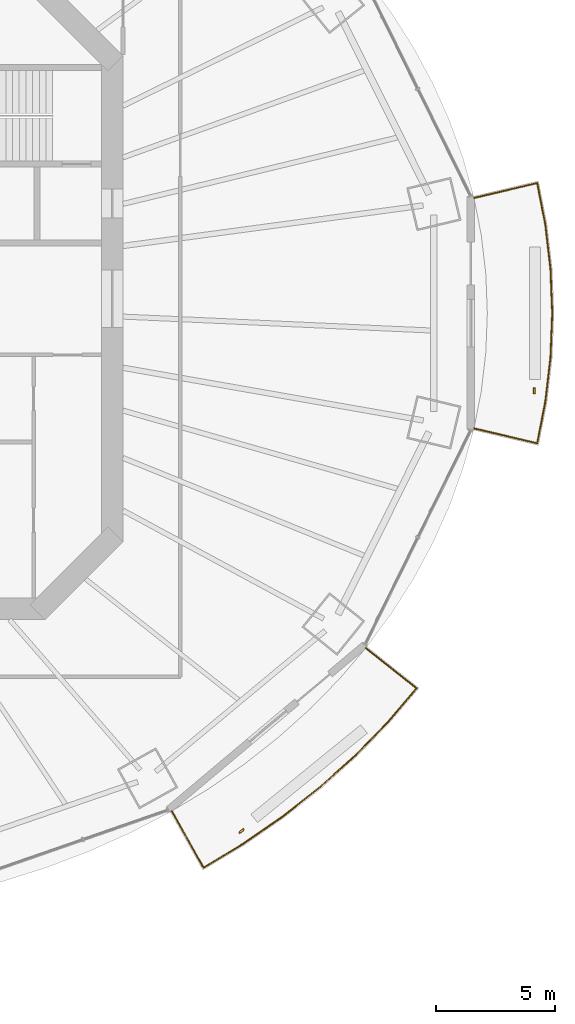
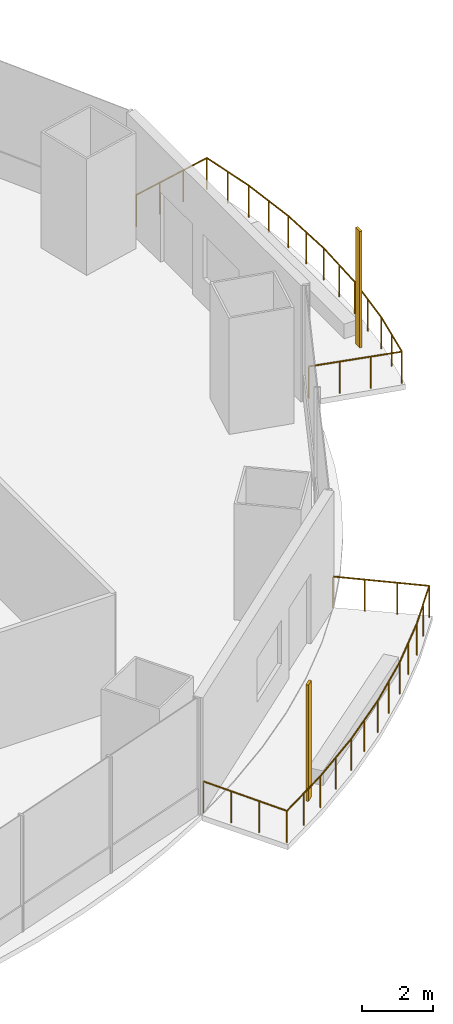
# One storey, part 16 of 19: 2 railings, 2 shading devices.
"""IFC4 building model written with IfcOpenShell, lengths in metres."""

import ifcopenshell
import ifcopenshell.guid

model = None  # the IFC model being written
_history = None  # IfcOwnerHistory: only IFC2X3 demands one
_inside = {}  # id of a spatial element -> (the spatial element, [elements in it])
_under = {}  # id of a project, library or spatial element -> (it, [spatial elements below it])
_declared = {}  # id of a project -> (the project, [libraries it declares])
_typed = {}  # id of a type object -> (the type object, [elements of that type])
_made_of = {}  # id of a material, layer set ... -> (it, [elements and type objects made of it])


def new_model(schema):
    """Start an empty IFC model of exactly this schema.

    Asked for "IFC4X3", IfcOpenShell would pick the latest addendum, in which some entities
    have other attributes; the version numbers below select the first issue.
    IFC2X3 requires an IfcOwnerHistory on every rooted entity: one is made here for all.
    """
    global model, _history
    if schema == "IFC4X3":
        model = ifcopenshell.file(schema_version=(4, 3, 0, 0))
    else:
        model = ifcopenshell.file(schema=schema)
    _inside.clear()
    _under.clear()
    _declared.clear()
    _typed.clear()
    _made_of.clear()
    _history = None
    if model.schema == "IFC2X3":
        org = make("IfcOrganization", Name="unknown")
        user = make(
            "IfcPersonAndOrganization",
            ThePerson=make("IfcPerson", FamilyName="unknown"),
            TheOrganization=org,
        )
        app = make(
            "IfcApplication",
            ApplicationDeveloper=org,
            Version="unknown",
            ApplicationFullName="unknown",
            ApplicationIdentifier="unknown",
        )
        _history = make(
            "IfcOwnerHistory",
            OwningUser=user,
            OwningApplication=app,
            ChangeAction="ADDED",
            CreationDate=0,
        )
    return model


def make(cls, **values):
    """One entity of the class cls with the attributes given. An attribute that is None is left unset."""
    return model.create_entity(
        cls, **{name: value for name, value in values.items() if value is not None}
    )


def rooted(cls, **values):
    """An entity with a GlobalId (a new one), such as an element, a storey or a relation."""
    return make(cls, GlobalId=ifcopenshell.guid.new(), OwnerHistory=_history, **values)


def si_unit(unit_type, name, prefix=None):
    """IfcSIUnit, for example si_unit("LENGTHUNIT", "METRE", prefix="MILLI")."""
    return make("IfcSIUnit", UnitType=unit_type, Prefix=prefix, Name=name)


def assignment(units):
    """IfcUnitAssignment: the units of a project."""
    return None if units is None else make("IfcUnitAssignment", Units=units)


def point(xyz):
    """IfcCartesianPoint."""
    return None if xyz is None else make("IfcCartesianPoint", Coordinates=xyz)


def direction(xyz):
    """IfcDirection."""
    return None if xyz is None else make("IfcDirection", DirectionRatios=xyz)


def frame(location, z_axis=None, x_axis=None):
    """IfcAxis2Placement3D, a coordinate frame: its origin and axes. An axis left out is left unset."""
    return make(
        "IfcAxis2Placement3D",
        Location=point(location),
        Axis=direction(z_axis),
        RefDirection=direction(x_axis),
    )


def frame_2d(location, x_axis=None):
    """IfcAxis2Placement2D, a coordinate frame in the plane: its origin and x axis."""
    return make(
        "IfcAxis2Placement2D", Location=point(location), RefDirection=direction(x_axis)
    )


def origin():
    """The frame at (0, 0, 0) with its axes left unset."""
    return frame((0.0, 0.0, 0.0))


def origin_2d():
    """The frame at (0, 0) in the plane with its x axis left unset."""
    return frame_2d((0.0, 0.0))


def place(relative_to, where):
    """IfcLocalPlacement: puts the frame where relative to a parent placement (None: the world)."""
    return make(
        "IfcLocalPlacement", PlacementRelTo=relative_to, RelativePlacement=where
    )


def context(
    kind, dimensions, precision=None, world=None, true_north=None, identifier=None
):
    """IfcGeometricRepresentationContext, for example the 3D "Model" context."""
    return make(
        "IfcGeometricRepresentationContext",
        ContextIdentifier=identifier,
        ContextType=kind,
        CoordinateSpaceDimension=dimensions,
        Precision=precision,
        WorldCoordinateSystem=world,
        TrueNorth=true_north,
    )


def subcontext(parent, identifier, kind, view, scale=None):
    """IfcGeometricRepresentationSubContext, for example "Body" below "Model"."""
    return make(
        "IfcGeometricRepresentationSubContext",
        ContextIdentifier=identifier,
        ContextType=kind,
        ParentContext=parent,
        TargetScale=scale,
        TargetView=view,
    )


def project(units=None, contexts=None):
    """IfcProject with its units and contexts."""
    return rooted(
        "IfcProject",
        Name="project",
        RepresentationContexts=contexts,
        UnitsInContext=assignment(units),
    )


def spatial(cls, under=None, at=None, **own):
    """A site, building, storey or space (cls), placed at a placement, below another one or the project."""
    s = rooted(cls, ObjectPlacement=at, **own)
    if under is not None:
        _under.setdefault(under.id(), (under, []))[1].append(s)
    return s


def profile(cls, at=None, kind="AREA", **sizes):
    """A parametric profile (cls). Its sizes go by their IFC names, for example OverallWidth=200.0."""
    return make(cls, ProfileType=kind, Position=at, **sizes)


def rectangle(**sizes):
    """IfcRectangleProfileDef."""
    return profile("IfcRectangleProfileDef", **sizes)


def circle(**sizes):
    """IfcCircleProfileDef."""
    return profile("IfcCircleProfileDef", **sizes)


def extrude(swept, where, along, depth):
    """IfcExtrudedAreaSolid: the profile swept, set in the frame where, extruded along a direction by depth."""
    return make(
        "IfcExtrudedAreaSolid",
        SweptArea=swept,
        Position=where,
        ExtrudedDirection=direction(along),
        Depth=depth,
    )


def shape(context_of_items, identifier, shape_type, items):
    """IfcShapeRepresentation: the items that make up one representation, for example the "Body"."""
    return make(
        "IfcShapeRepresentation",
        ContextOfItems=context_of_items,
        RepresentationIdentifier=identifier,
        RepresentationType=shape_type,
        Items=items,
    )


def material(Name=None, Category=None):
    """IfcMaterial."""
    return make("IfcMaterial", Name=Name, Category=Category)


def material_profile(
    of_material, cross_section, Name=None, Category=None, Priority=None
):
    """IfcMaterialProfile: a cross section and its material."""
    return make(
        "IfcMaterialProfile",
        Name=Name,
        Material=of_material,
        Profile=cross_section,
        Priority=Priority,
        Category=Category,
    )


def profile_set(profiles, Name=None, composite=None):
    """IfcMaterialProfileSet."""
    return make(
        "IfcMaterialProfileSet",
        Name=Name,
        MaterialProfiles=profiles,
        CompositeProfile=composite,
    )


def made_of(thing, what):
    """Note that an element or type object is made of a material, layer set ...; save() writes the relation."""
    if what is not None:
        _made_of.setdefault(what.id(), (what, []))[1].append(thing)
    return thing


def type_object(cls, material=None, **own):
    """A type object (cls), such as IfcWallType, which elements share."""
    return made_of(rooted(cls, **own), material)


def element(
    cls,
    number,
    at=None,
    inside=None,
    cuts=None,
    type_object=None,
    material=None,
    context=None,
    identifier="Body",
    shape_type=None,
    held_by="IfcProductDefinitionShape",
    body=None,
    shapes=None,
    **own,
):
    """One element of the class cls, such as IfcWall. Its Tag is "e" and its number.

    at: its placement. inside: the storey or other place that contains it. cuts: it is an
    opening in that element (IfcRelVoidsElement). A single representation is given by context,
    identifier, shape_type and body (its items); several are given by shapes. held_by: the class
    of the entity that holds the representations. save() writes the other relations.
    """
    e = rooted(cls, Tag="e%d" % number, ObjectPlacement=at, **own)
    if body is not None:
        shapes = [shape(context, identifier, shape_type, body)]
    if shapes is not None:
        e.Representation = make(held_by, Representations=shapes)
    if inside is not None:
        _inside.setdefault(inside.id(), (inside, []))[1].append(e)
    if cuts is not None:
        rooted(
            "IfcRelVoidsElement", RelatingBuildingElement=cuts, RelatedOpeningElement=e
        )
    if type_object is not None:
        _typed.setdefault(type_object.id(), (type_object, []))[1].append(e)
    return made_of(e, material)


def aggregate(whole, parts):
    """IfcRelAggregates: a whole, such as a stair, and the parts it consists of."""
    return rooted("IfcRelAggregates", RelatingObject=whole, RelatedObjects=parts)


def save(model, path):
    """Write the relations noted so far, then the file.

    IfcRelAggregates (storeys below a building ...), IfcRelContainedInSpatialStructure (elements
    in a storey), IfcRelDefinesByType, IfcRelAssociatesMaterial and IfcRelDeclares: one each for
    every whole, place, type object, material and project.
    """
    for whole, parts in _under.values():
        aggregate(whole, parts)
    for where, things in _inside.values():
        rooted(
            "IfcRelContainedInSpatialStructure",
            RelatedElements=things,
            RelatingStructure=where,
        )
    for kind, things in _typed.values():
        rooted("IfcRelDefinesByType", RelatedObjects=things, RelatingType=kind)
    for what, things in _made_of.values():
        rooted("IfcRelAssociatesMaterial", RelatedObjects=things, RelatingMaterial=what)
    for by, libraries in _declared.values():
        rooted("IfcRelDeclares", RelatingContext=by, RelatedDefinitions=libraries)
    model.write(path)


model = new_model("IFC4")

# Units and contexts
model_context = context("Model", 3, precision=1e-05, world=origin(), true_north=direction((0.0, 1.0)))
body_context = subcontext(model_context, "Body", "Model", "MODEL_VIEW")
ifc_project = project(units=[si_unit("LENGTHUNIT", "METRE"), si_unit("AREAUNIT", "SQUARE_METRE"), si_unit("VOLUMEUNIT", "CUBIC_METRE"), si_unit("PLANEANGLEUNIT", "RADIAN"), si_unit("MASSUNIT", "GRAM", prefix="KILO")], contexts=[model_context])

# Site, building, storey
site_placement = place(None, origin())
site = spatial("IfcSite", under=ifc_project, at=site_placement, CompositionType="ELEMENT")
building_placement = place(site_placement, origin())
building = spatial("IfcBuilding", under=site, at=building_placement, Name="Marenthal Gate Tower", CompositionType="ELEMENT")
storey_placement = place(building_placement, frame((0.0, 0.0, 256.5)))
storey = spatial("IfcBuildingStorey", under=building, at=storey_placement, Name="L57", CompositionType="ELEMENT", Elevation=256.5)

# Railings
ifc_material_1 = material(Name="Stainless steel", Category="steel")
railing_type = type_object("IfcRailingType", Name="Balcony guard 1100", PredefinedType="GUARDRAIL", material=ifc_material_1)
railing_1_placement = place(storey_placement, frame((26.63037109375, -14.637451171875, 0.0)))
element("IfcRailing", 1, at=railing_1_placement, inside=storey, type_object=railing_type, Name="Balcony guard L57 bay 14", PredefinedType="GUARDRAIL", context=body_context, shape_type="SweptSolid", body=[
    extrude(circle(Radius=0.02392578125, at=origin_2d()), frame((0.0, 0.0, 1.076171875), z_axis=(0.783055581805, -0.621777543925, -0.014718752483), x_axis=(0.621844906334, 0.783140416826, 0.0)), (0.0, 0.0, 1.0), 2.72021484375),
    extrude(circle(Radius=0.02392578125, at=origin_2d()), frame((2.130126953125, -1.69140625, 1.0361328125), z_axis=(-0.649809223688, -0.760097344298, 0.0), x_axis=(0.760097344298, -0.649809223688, 0.0)), (0.0, 0.0, 1.0), 1.864013671875),
    extrude(circle(Radius=0.02392578125, at=origin_2d()), frame((0.9189453125, -3.108154296875, 1.0361328125), z_axis=(-0.698521536326, -0.715589032398, 0.0), x_axis=(0.715589032398, -0.698521536326, 0.0)), (0.0, 0.0, 1.0), 1.959716796875),
    extrude(circle(Radius=0.02392578125, at=origin_2d()), frame((-0.449951171875, -4.510498046875, 1.0361328125), z_axis=(-0.744196610974, -0.667960630737, 0.0), x_axis=(0.667960630737, -0.744196610974, 0.0)), (0.0, 0.0, 1.0), 1.975830078125),
    extrude(circle(Radius=0.02392578125, at=origin_2d()), frame((-1.92041015625, -5.830322265625, 1.0361328125), z_axis=(-0.785663114819, -0.618654564367, 0.0), x_axis=(0.618654564367, -0.785663114819, 0.0)), (0.0, 0.0, 1.0), 1.992431640625),
    extrude(circle(Radius=0.02392578125, at=origin_2d()), frame((-3.48583984375, -7.06298828125, 1.0361328125), z_axis=(-0.823079547335, -0.567926103256, 0.0), x_axis=(0.567926103256, -0.823079547335, 0.0)), (0.0, 0.0, 1.0), 2.00830078125),
    extrude(circle(Radius=0.02392578125, at=origin_2d()), frame((-5.138916015625, -8.20361328125, 1.0361328125), z_axis=(-0.855927117695, -0.517096479581, 0.0), x_axis=(0.517096479581, -0.855927117695, 0.0)), (0.0, 0.0, 1.0), 1.94482421875),
    extrude(circle(Radius=0.02392578125, at=origin_2d()), frame((-6.803466796875, -9.209228515625, 1.0361328125), z_axis=(-0.489935400912, 0.871634477681, 0.014718704112), x_axis=(-0.87172890858, -0.489988479401, 0.0)), (0.0, 0.0, 1.0), 2.72021484375),
    extrude(circle(Radius=0.02099609375, at=origin_2d()), origin(), (0.0, 0.0, 1.0), 1.052001953125),
    extrude(circle(Radius=0.02099609375, at=origin_2d()), frame((0.7099609375, -0.563720703125, -0.013427734375)), (0.0, 0.0, 1.0), 1.052001953125),
    extrude(circle(Radius=0.02099609375, at=origin_2d()), frame((1.420166015625, -1.127685546875, -0.026611328125)), (0.0, 0.0, 1.0), 1.052001953125),
    extrude(circle(Radius=0.02099609375, at=origin_2d()), frame((2.130126953125, -1.69140625, -0.0400390625)), (0.0, 0.0, 1.0), 1.052001953125),
    extrude(circle(Radius=0.02099609375, at=origin_2d()), frame((1.5244140625, -2.39990234375, -0.0400390625)), (0.0, 0.0, 1.0), 1.052001953125),
    extrude(circle(Radius=0.02099609375, at=origin_2d()), frame((0.9189453125, -3.108154296875, -0.0400390625)), (0.0, 0.0, 1.0), 1.052001953125),
    extrude(circle(Radius=0.02099609375, at=origin_2d()), frame((0.234375, -3.809326171875, -0.0400390625)), (0.0, 0.0, 1.0), 1.052001953125),
    extrude(circle(Radius=0.02099609375, at=origin_2d()), frame((-0.449951171875, -4.510498046875, -0.0400390625)), (0.0, 0.0, 1.0), 1.052001953125),
    extrude(circle(Radius=0.02099609375, at=origin_2d()), frame((-1.18505859375, -5.17041015625, -0.0400390625)), (0.0, 0.0, 1.0), 1.052001953125),
    extrude(circle(Radius=0.02099609375, at=origin_2d()), frame((-1.92041015625, -5.830322265625, -0.0400390625)), (0.0, 0.0, 1.0), 1.052001953125),
    extrude(circle(Radius=0.02099609375, at=origin_2d()), frame((-2.703125, -6.44677734375, -0.0400390625)), (0.0, 0.0, 1.0), 1.052001953125),
    extrude(circle(Radius=0.02099609375, at=origin_2d()), frame((-3.48583984375, -7.06298828125, -0.0400390625)), (0.0, 0.0, 1.0), 1.052001953125),
    extrude(circle(Radius=0.02099609375, at=origin_2d()), frame((-4.3125, -7.63330078125, -0.0400390625)), (0.0, 0.0, 1.0), 1.052001953125),
    extrude(circle(Radius=0.02099609375, at=origin_2d()), frame((-5.138916015625, -8.20361328125, -0.0400390625)), (0.0, 0.0, 1.0), 1.052001953125),
    extrude(circle(Radius=0.02099609375, at=origin_2d()), frame((-5.97119140625, -8.70654296875, -0.0400390625)), (0.0, 0.0, 1.0), 1.052001953125),
    extrude(circle(Radius=0.02099609375, at=origin_2d()), frame((-6.803466796875, -9.209228515625, -0.0400390625)), (0.0, 0.0, 1.0), 1.052001953125),
    extrude(circle(Radius=0.02099609375, at=origin_2d()), frame((-7.247802734375, -8.4189453125, -0.026611328125)), (0.0, 0.0, 1.0), 1.052001953125),
    extrude(circle(Radius=0.02099609375, at=origin_2d()), frame((-7.69189453125, -7.62841796875, -0.013427734375)), (0.0, 0.0, 1.0), 1.052001953125),
    extrude(circle(Radius=0.02099609375, at=origin_2d()), frame((-8.13623046875, -6.838134765625, 0.0)), (0.0, 0.0, 1.0), 1.052001953125),
])
railing_2_placement = place(storey_placement, frame((31.16650390625, 4.2294921875, 0.0)))
element("IfcRailing", 2, at=railing_2_placement, inside=storey, type_object=railing_type, Name="Balcony guard L57 bay 16", PredefinedType="GUARDRAIL", context=body_context, shape_type="SweptSolid", body=[
    extrude(circle(Radius=0.02392578125, at=origin_2d()), frame((0.0, 0.0, 1.076171875), z_axis=(0.973072245699, 0.230029899071, -0.014719041532), x_axis=(-0.23005482113, 0.97317767097, 0.0)), (0.0, 0.0, 1.0), 2.72021484375),
    extrude(circle(Radius=0.02392578125, at=origin_2d()), frame((2.64697265625, 0.625732421875, 1.0361328125), z_axis=(0.19100882276, -0.981588319831, 0.0), x_axis=(0.981588319831, 0.19100882276, 0.0)), (0.0, 0.0, 1.0), 1.784423828125),
    extrude(circle(Radius=0.02392578125, at=origin_2d()), frame((2.98779296875, -1.125732421875, 1.0361328125), z_axis=(0.116292910733, -0.99321496108, 0.0), x_axis=(0.99321496108, 0.116292910733, 0.0)), (0.0, 0.0, 1.0), 1.860107421875),
    extrude(circle(Radius=0.02392578125, at=origin_2d()), frame((3.2041015625, -2.97314453125, 1.0361328125), z_axis=(0.039028631449, -0.999238092712, 0.0), x_axis=(0.999238092712, 0.039028631449, 0.0)), (0.0, 0.0, 1.0), 1.85791015625),
    extrude(circle(Radius=0.02392578125, at=origin_2d()), frame((3.276611328125, -4.82958984375, 1.0361328125), z_axis=(-0.039028631449, -0.999238092712, 0.0), x_axis=(0.999238092712, -0.039028631449, 0.0)), (0.0, 0.0, 1.0), 1.85791015625),
    extrude(circle(Radius=0.02392578125, at=origin_2d()), frame((3.2041015625, -6.68603515625, 1.0361328125), z_axis=(-0.116308073283, -0.99321318562, 0.0), x_axis=(0.99321318562, -0.116308073283, 0.0)), (0.0, 0.0, 1.0), 1.85986328125),
    extrude(circle(Radius=0.02392578125, at=origin_2d()), frame((2.98779296875, -8.533203125, 1.0361328125), z_axis=(-0.19100882276, -0.981588319831, 0.0), x_axis=(0.981588319831, -0.19100882276, 0.0)), (0.0, 0.0, 1.0), 1.784423828125),
    extrude(circle(Radius=0.02392578125, at=origin_2d()), frame((2.64697265625, -10.28466796875, 1.0361328125), z_axis=(-0.973072245699, 0.230029899071, 0.014719041532), x_axis=(-0.23005482113, -0.97317767097, 0.0)), (0.0, 0.0, 1.0), 2.72021484375),
    extrude(circle(Radius=0.02099609375, at=origin_2d()), origin(), (0.0, 0.0, 1.0), 1.052001953125),
    extrude(circle(Radius=0.02099609375, at=origin_2d()), frame((0.88232421875, 0.20849609375, -0.013427734375)), (0.0, 0.0, 1.0), 1.052001953125),
    extrude(circle(Radius=0.02099609375, at=origin_2d()), frame((1.7646484375, 0.417236328125, -0.026611328125)), (0.0, 0.0, 1.0), 1.052001953125),
    extrude(circle(Radius=0.02099609375, at=origin_2d()), frame((2.64697265625, 0.625732421875, -0.0400390625)), (0.0, 0.0, 1.0), 1.052001953125),
    extrude(circle(Radius=0.02099609375, at=origin_2d()), frame((2.8173828125, -0.25, -0.0400390625)), (0.0, 0.0, 1.0), 1.052001953125),
    extrude(circle(Radius=0.02099609375, at=origin_2d()), frame((2.98779296875, -1.125732421875, -0.0400390625)), (0.0, 0.0, 1.0), 1.052001953125),
    extrude(circle(Radius=0.02099609375, at=origin_2d()), frame((3.095947265625, -2.04931640625, -0.0400390625)), (0.0, 0.0, 1.0), 1.052001953125),
    extrude(circle(Radius=0.02099609375, at=origin_2d()), frame((3.2041015625, -2.97314453125, -0.0400390625)), (0.0, 0.0, 1.0), 1.052001953125),
    extrude(circle(Radius=0.02099609375, at=origin_2d()), frame((3.240234375, -3.9013671875, -0.0400390625)), (0.0, 0.0, 1.0), 1.052001953125),
    extrude(circle(Radius=0.02099609375, at=origin_2d()), frame((3.276611328125, -4.82958984375, -0.0400390625)), (0.0, 0.0, 1.0), 1.052001953125),
    extrude(circle(Radius=0.02099609375, at=origin_2d()), frame((3.240234375, -5.7578125, -0.0400390625)), (0.0, 0.0, 1.0), 1.052001953125),
    extrude(circle(Radius=0.02099609375, at=origin_2d()), frame((3.2041015625, -6.68603515625, -0.0400390625)), (0.0, 0.0, 1.0), 1.052001953125),
    extrude(circle(Radius=0.02099609375, at=origin_2d()), frame((3.095947265625, -7.609619140625, -0.0400390625)), (0.0, 0.0, 1.0), 1.052001953125),
    extrude(circle(Radius=0.02099609375, at=origin_2d()), frame((2.98779296875, -8.533203125, -0.0400390625)), (0.0, 0.0, 1.0), 1.052001953125),
    extrude(circle(Radius=0.02099609375, at=origin_2d()), frame((2.8173828125, -9.408935546875, -0.0400390625)), (0.0, 0.0, 1.0), 1.052001953125),
    extrude(circle(Radius=0.02099609375, at=origin_2d()), frame((2.64697265625, -10.28466796875, -0.0400390625)), (0.0, 0.0, 1.0), 1.052001953125),
    extrude(circle(Radius=0.02099609375, at=origin_2d()), frame((1.7646484375, -10.076171875, -0.026611328125)), (0.0, 0.0, 1.0), 1.052001953125),
    extrude(circle(Radius=0.02099609375, at=origin_2d()), frame((0.88232421875, -9.867431640625, -0.013427734375)), (0.0, 0.0, 1.0), 1.052001953125),
    extrude(circle(Radius=0.02099609375, at=origin_2d()), frame((0.0, -9.658935546875, 0.0)), (0.0, 0.0, 1.0), 1.052001953125),
])

# Shading devices
ifc_material_2 = material(Name="Terracotta", Category="masonry")
ifc_material_profile = material_profile(ifc_material_2, rectangle(XDim=0.25, YDim=0.080078125, at=origin_2d()), Name="Terracotta baguette 250x80")
ifc_profile_set = profile_set([ifc_material_profile], Name="Terracotta")
shading_device_type = type_object("IfcShadingDeviceType", Name="Terracotta BAGUETTE SCREEN 250x80", PredefinedType="USERDEFINED", material=ifc_profile_set)
for number, where, z_axis, x_axis, name in (
    (3, (21.41748046875, -22.3095703125, -0.0400390625), (0.0, 0.0, 1.0), (0.765398416376, 0.643556729597, 0.0), "Terracotta BAGUETTE L57 bay 14L"),
    (4, (33.69091796875, -3.85205078125, -0.0400390625), (0.0, 0.0, 1.0), (0.0, 1.0, 0.0), "Terracotta BAGUETTE L57 bay 16L"),
):
    element("IfcShadingDevice", number, at=place(storey_placement, frame(where, z_axis=z_axis, x_axis=x_axis)), inside=storey, type_object=shading_device_type, Name=name, ObjectType="BAGUETTE SCREEN", PredefinedType="USERDEFINED", context=body_context, shape_type="SweptSolid", body=[
        extrude(rectangle(XDim=0.25, YDim=0.080078125, at=origin_2d()), origin(), (0.0, 0.0, 1.0), 3.969970703125),
    ])

save(model, "model.ifc")
